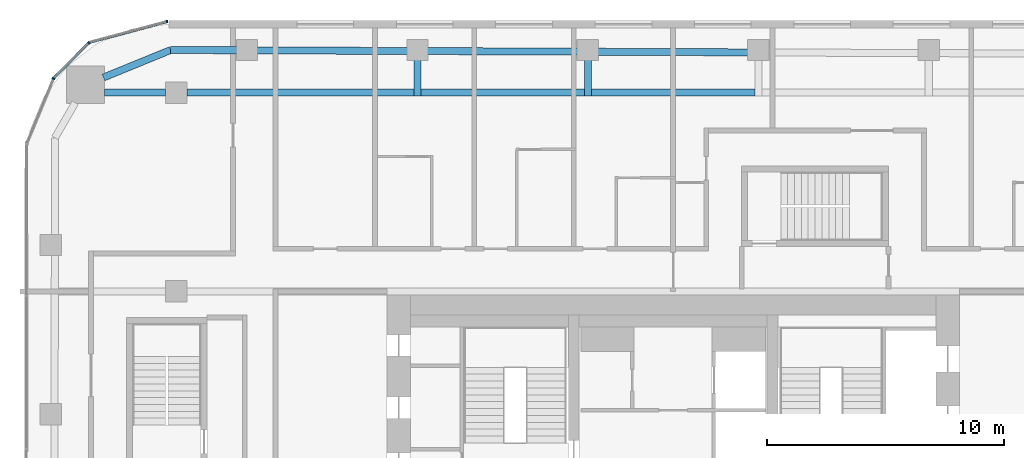
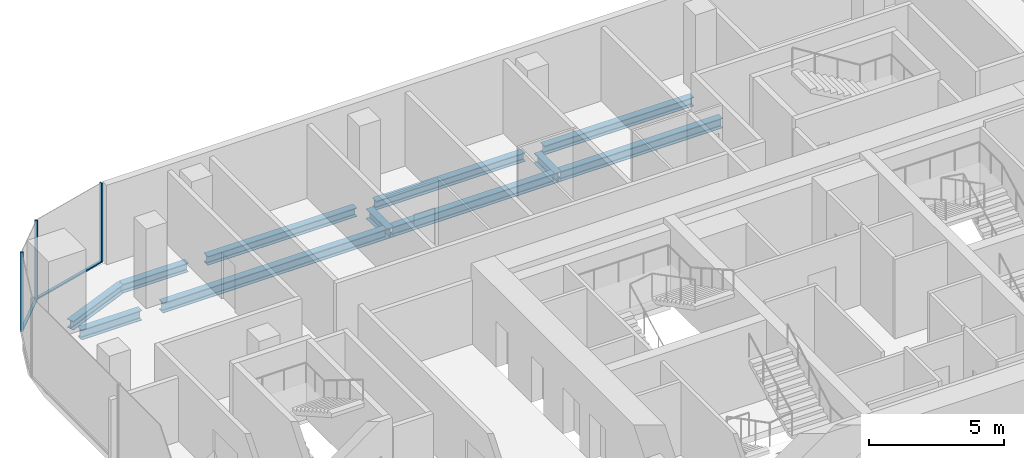
# One storey, part 10 of 23: 11 beams, 5 members, 3 elements without a shape of their own.
"""IFC4 building model written with IfcOpenShell, lengths in metres."""

from ifc_helpers import new_model, si_unit, direction, frame, origin, origin_2d, place, context, subcontext, project, spatial, rectangle, i_section, extrude, material, layer, layer_set, material_profile, profile_set, type_object, element, aggregate, save


model = new_model("IFC4")

# Units and contexts
model_context = context("Model", 3, precision=1e-05, world=origin(), true_north=direction((0.0, 1.0)))
body_context = subcontext(model_context, "Body", "Model", "MODEL_VIEW")
ifc_project = project(units=[si_unit("LENGTHUNIT", "METRE"), si_unit("AREAUNIT", "SQUARE_METRE"), si_unit("VOLUMEUNIT", "CUBIC_METRE"), si_unit("PLANEANGLEUNIT", "RADIAN"), si_unit("MASSUNIT", "GRAM", prefix="KILO")], contexts=[model_context])

# Site, building, storey
site_placement = place(None, origin())
site = spatial("IfcSite", under=ifc_project, at=site_placement, CompositionType="ELEMENT")
building_placement = place(site_placement, origin())
building = spatial("IfcBuilding", under=site, at=building_placement, Name="Marenta Gate Hotel Tower", CompositionType="ELEMENT")
storey_placement = place(building_placement, frame((0.0, 0.0, 104.89990234375)))
storey = spatial("IfcBuildingStorey", under=building, at=storey_placement, Name="L22", CompositionType="ELEMENT", Elevation=104.89990234375)

# Beams
ifc_material_1 = material(Name="Steel S355", Category="steel")
ifc_material_profile_1 = material_profile(ifc_material_1, i_section(OverallWidth=0.300048828125, OverallDepth=0.39990234375, WebThickness=0.013427734375, FlangeThickness=0.02392578125, FilletRadius=0.027099609375, at=origin_2d()), Name="HEB 400")
ifc_profile_set_1 = profile_set([ifc_material_profile_1], Name="Steel S355")
beam_type_1 = type_object("IfcBeamType", Name="Edge beam HEB 400", PredefinedType="SPANDREL", material=ifc_profile_set_1)
beam_1_placement = place(storey_placement, frame((-24.072509765625, 25.839111328125, -0.4599609375), z_axis=(0.925565978946, 0.378586342356, 0.0), x_axis=(-0.378586342356, 0.925565978946, 0.0)))
element("IfcBeam", 1, at=beam_1_placement, inside=storey, type_object=beam_type_1, Name="L22-EB-12", PredefinedType="SPANDREL", context=body_context, shape_type="SweptSolid", body=[
    extrude(i_section(OverallWidth=0.300048828125, OverallDepth=0.39990234375, WebThickness=0.013427734375, FlangeThickness=0.02392578125, FilletRadius=0.027099609375, at=origin_2d()), origin(), (0.0, 0.0, 1.0), 3.06640625),
])
beam_2_placement = place(storey_placement, frame((-21.234375, 27.0, -0.4599609375), z_axis=(0.999991706293, -0.004072756516, 0.0), x_axis=(0.004072756516, 0.999991706293, 0.0)))
element("IfcBeam", 2, at=beam_2_placement, inside=storey, type_object=beam_type_1, Name="L22-EB-13", PredefinedType="SPANDREL", context=body_context, shape_type="SweptSolid", body=[
    extrude(i_section(OverallWidth=0.300048828125, OverallDepth=0.39990234375, WebThickness=0.013427734375, FlangeThickness=0.02392578125, FilletRadius=0.027099609375, at=origin_2d()), origin(), (0.0, 0.0, 1.0), 2.8173828125),
])
beam_3_placement = place(storey_placement, frame((-17.596923828125, 26.985107421875, -0.4599609375), z_axis=(0.999991780748, -0.00405443424, 0.0), x_axis=(0.00405443424, 0.999991780748, 0.0)))
element("IfcBeam", 3, at=beam_3_placement, inside=storey, type_object=beam_type_1, Name="L22-EB-14", PredefinedType="SPANDREL", context=body_context, shape_type="SweptSolid", body=[
    extrude(i_section(OverallWidth=0.300048828125, OverallDepth=0.39990234375, WebThickness=0.013427734375, FlangeThickness=0.02392578125, FilletRadius=0.027099609375, at=origin_2d()), origin(), (0.0, 0.0, 1.0), 6.3828125),
])
beam_4_placement = place(storey_placement, frame((-10.39404296875, 26.955810546875, -0.4599609375), z_axis=(0.999991624297, -0.004092839529, 0.0), x_axis=(0.004092839529, 0.999991624297, 0.0)))
element("IfcBeam", 4, at=beam_4_placement, inside=storey, type_object=beam_type_1, Name="L22-EB-15", PredefinedType="SPANDREL", context=body_context, shape_type="SweptSolid", body=[
    extrude(i_section(OverallWidth=0.300048828125, OverallDepth=0.39990234375, WebThickness=0.013427734375, FlangeThickness=0.02392578125, FilletRadius=0.027099609375, at=origin_2d()), origin(), (0.0, 0.0, 1.0), 6.382568359375),
])
beam_5_placement = place(storey_placement, frame((-3.19140625, 26.926513671875, -0.4599609375), z_axis=(0.999991624938, -0.004092682982, 0.0), x_axis=(0.004092682982, 0.999991624938, 0.0)))
element("IfcBeam", 5, at=beam_5_placement, inside=storey, type_object=beam_type_1, Name="L22-EB-16", PredefinedType="SPANDREL", context=body_context, shape_type="SweptSolid", body=[
    extrude(i_section(OverallWidth=0.300048828125, OverallDepth=0.39990234375, WebThickness=0.013427734375, FlangeThickness=0.02392578125, FilletRadius=0.027099609375, at=origin_2d()), origin(), (0.0, 0.0, 1.0), 6.3828125),
])
ifc_material_2 = material(Name="Steel S355", Category="steel")
ifc_material_profile_2 = material_profile(ifc_material_2, i_section(OverallWidth=0.300048828125, OverallDepth=0.449951171875, WebThickness=0.013916015625, FlangeThickness=0.02587890625, FilletRadius=0.027099609375, at=origin_2d()), Name="HEB 450")
ifc_profile_set_2 = profile_set([ifc_material_profile_2], Name="Steel S355")
beam_type_2 = type_object("IfcBeamType", Name="Girder HEB 450", PredefinedType="BEAM", material=ifc_profile_set_2)
beam_6_placement = place(storey_placement, frame((-24.035400390625, 25.199951171875, -0.48486328125), z_axis=(1.0, 0.0, 0.0), x_axis=(0.0, 1.0, 0.0)))
element("IfcBeam", 6, at=beam_6_placement, inside=storey, type_object=beam_type_2, Name="L22-GD-29", PredefinedType="BEAM", context=body_context, shape_type="SweptSolid", body=[
    extrude(i_section(OverallWidth=0.300048828125, OverallDepth=0.449951171875, WebThickness=0.013916015625, FlangeThickness=0.02587890625, FilletRadius=0.027099609375, at=origin_2d()), origin(), (0.0, 0.0, 1.0), 2.58544921875),
])
beam_7_placement = place(storey_placement, frame((-20.550048828125, 25.199951171875, -0.48486328125), z_axis=(1.0, 0.0, 0.0), x_axis=(0.0, 1.0, 0.0)))
element("IfcBeam", 7, at=beam_7_placement, inside=storey, type_object=beam_type_2, Name="L22-GD-30", PredefinedType="BEAM", context=body_context, shape_type="SweptSolid", body=[
    extrude(i_section(OverallWidth=0.300048828125, OverallDepth=0.449951171875, WebThickness=0.013916015625, FlangeThickness=0.02587890625, FilletRadius=0.027099609375, at=origin_2d()), origin(), (0.0, 0.0, 1.0), 9.595947265625),
])
beam_8_placement = place(storey_placement, frame((-10.654052734375, 25.199951171875, -0.48486328125), z_axis=(1.0, 0.0, 0.0), x_axis=(0.0, 1.0, 0.0)))
element("IfcBeam", 8, at=beam_8_placement, inside=storey, type_object=beam_type_2, Name="L22-GD-31", PredefinedType="BEAM", context=body_context, shape_type="SweptSolid", body=[
    extrude(i_section(OverallWidth=0.300048828125, OverallDepth=0.449951171875, WebThickness=0.013916015625, FlangeThickness=0.02587890625, FilletRadius=0.027099609375, at=origin_2d()), origin(), (0.0, 0.0, 1.0), 6.902587890625),
])
beam_9_placement = place(storey_placement, frame((-3.451416015625, 25.199951171875, -0.48486328125), z_axis=(1.0, 0.0, 0.0), x_axis=(0.0, 1.0, 0.0)))
element("IfcBeam", 9, at=beam_9_placement, inside=storey, type_object=beam_type_2, Name="L22-GD-32", PredefinedType="BEAM", context=body_context, shape_type="SweptSolid", body=[
    extrude(i_section(OverallWidth=0.300048828125, OverallDepth=0.449951171875, WebThickness=0.013916015625, FlangeThickness=0.02587890625, FilletRadius=0.027099609375, at=origin_2d()), origin(), (0.0, 0.0, 1.0), 6.90283203125),
])
ifc_material_3 = material(Name="Steel S355", Category="steel")
ifc_material_profile_3 = material_profile(ifc_material_3, i_section(OverallWidth=0.300048828125, OverallDepth=0.449951171875, WebThickness=0.013916015625, FlangeThickness=0.02587890625, FilletRadius=0.027099609375, at=origin_2d()), Name="HEB 450")
ifc_profile_set_3 = profile_set([ifc_material_profile_3], Name="Steel S355")
beam_type_3 = type_object("IfcBeamType", Name="Girder bracket HEB 450", PredefinedType="BEAM", material=ifc_profile_set_3)
for number, where, z_axis, x_axis, name in (
    (10, (-10.80419921875, 25.050048828125, -0.48486328125), (0.0, 1.0, 0.0), (-1.0, 0.0, 0.0), "L22-GS-1"),
    (11, (-3.601318359375, 25.050048828125, -0.48486328125), (0.0, 1.0, 0.0), (-1.0, 0.0, 0.0), "L22-GS-2"),
):
    element("IfcBeam", number, at=place(storey_placement, frame(where, z_axis=z_axis, x_axis=x_axis)), inside=storey, type_object=beam_type_3, Name=name, PredefinedType="BEAM", context=body_context, shape_type="SweptSolid", body=[
        extrude(i_section(OverallWidth=0.300048828125, OverallDepth=0.449951171875, WebThickness=0.013916015625, FlangeThickness=0.02587890625, FilletRadius=0.027099609375, at=origin_2d()), origin(), (0.0, 0.0, 1.0), 1.5400390625),
    ])

# Curtain wall, member
ifc_material_4 = material(Name="Tinted insulated glass in bronze anodised frame", Category="glass")
ifc_layer = layer(ifc_material_4, 0.1201171875)
ifc_layer_set = layer_set([ifc_layer], Name="Tinted insulated glass in bronze anodised frame")
curtain_wall_type = type_object("IfcCurtainWallType", Name="Tower unitised curtain wall CW1", PredefinedType="NOTDEFINED", material=ifc_layer_set)
curtain_wall_1_placement = place(storey_placement, origin())
curtain_wall_1 = element("IfcCurtainWall", 12, at=curtain_wall_1_placement, inside=storey, type_object=curtain_wall_type, Name="CW1 run G00", PredefinedType="NOTDEFINED")
ifc_material_5 = material(Name="Bronze anodised aluminium", Category="aluminium")
ifc_material_profile_4 = material_profile(ifc_material_5, rectangle(XDim=0.1201171875, YDim=0.06005859375, at=origin_2d()), Name="Mullion CW1 60x120 bronze anodised aluminium")
ifc_profile_set_4 = profile_set([ifc_material_profile_4], Name="Bronze anodised aluminium")
member_type_1 = type_object("IfcMemberType", Name="Mullion CW1 60x120 bronze anodised aluminium", PredefinedType="MULLION", material=ifc_profile_set_4)
member_1_placement = place(storey_placement, frame((-21.385498046875, 28.203125, 0.0), z_axis=(0.0, 0.0, 1.0), x_axis=(0.258801234873, -0.96593059835, 0.0)))
member_1 = element("IfcMember", 13, at=member_1_placement, type_object=member_type_1, Name="CW1 mullion 1", PredefinedType="MULLION", context=body_context, shape_type="SweptSolid", body=[
    extrude(rectangle(XDim=0.1201171875, YDim=0.06005859375, at=origin_2d()), origin(), (0.0, 0.0, 1.0), 3.60009765625),
])

curtain_wall_2_placement = place(storey_placement, origin())
curtain_wall_2 = element("IfcCurtainWall", 14, at=curtain_wall_2_placement, inside=storey, type_object=curtain_wall_type, Name="CW1 run G01", PredefinedType="NOTDEFINED")
member_2_placement = place(storey_placement, frame((-24.68798828125, 27.302978515625, 0.0), z_axis=(0.0, 0.0, 1.0), x_axis=(0.707106781187, -0.707106781187, 0.0)))
member_2 = element("IfcMember", 15, at=member_2_placement, type_object=member_type_1, Name="CW1 mullion 1", PredefinedType="MULLION", context=body_context, shape_type="SweptSolid", body=[
    extrude(rectangle(XDim=0.1201171875, YDim=0.06005859375, at=origin_2d()), origin(), (0.0, 0.0, 1.0), 3.60009765625),
])

curtain_wall_3_placement = place(storey_placement, origin())
curtain_wall_3 = element("IfcCurtainWall", 16, at=curtain_wall_3_placement, inside=storey, type_object=curtain_wall_type, Name="CW1 run G02", PredefinedType="NOTDEFINED")
member_3_placement = place(storey_placement, frame((-26.183837890625, 25.790771484375, 0.0), z_axis=(0.0, 0.0, 1.0), x_axis=(0.923884278178, -0.382671975111, 0.0)))
member_3 = element("IfcMember", 17, at=member_3_placement, type_object=member_type_1, Name="CW1 mullion 1", PredefinedType="MULLION", context=body_context, shape_type="SweptSolid", body=[
    extrude(rectangle(XDim=0.1201171875, YDim=0.06005859375, at=origin_2d()), origin(), (0.0, 0.0, 1.0), 3.60009765625),
])
aggregate(curtain_wall_3, [member_3])

# Member
ifc_material_6 = material(Name="Bronze anodised aluminium", Category="aluminium")
ifc_material_profile_5 = material_profile(ifc_material_6, rectangle(XDim=0.1201171875, YDim=0.06005859375, at=origin_2d()), Name="Transom CW1 60x120 bronze anodised aluminium")
ifc_profile_set_5 = profile_set([ifc_material_profile_5], Name="Bronze anodised aluminium")
member_type_2 = type_object("IfcMemberType", Name="Transom CW1 60x120 bronze anodised aluminium", PredefinedType="USERDEFINED", material=ifc_profile_set_5)
member_4_placement = place(storey_placement, frame((-21.41455078125, 28.195556640625, 0.030029296875), z_axis=(-0.965932192411, -0.258795285243, 0.0), x_axis=(0.258795285243, -0.965932192411, 0.0)))
member_4 = element("IfcMember", 18, at=member_4_placement, type_object=member_type_2, Name="CW1 transom 1.1", ObjectType="TRANSOM", PredefinedType="USERDEFINED", context=body_context, shape_type="SweptSolid", body=[
    extrude(rectangle(XDim=0.1201171875, YDim=0.06005859375, at=origin_2d()), origin(), (0.0, 0.0, 1.0), 3.366943359375),
])

aggregate(curtain_wall_1, [member_1, member_4])

member_5_placement = place(storey_placement, frame((-24.709228515625, 27.28173828125, 0.030029296875), z_axis=(-0.707106781187, -0.707106781187, 0.0), x_axis=(0.707106781187, -0.707106781187, 0.0)))
member_5 = element("IfcMember", 19, at=member_5_placement, type_object=member_type_2, Name="CW1 transom 1.1", ObjectType="TRANSOM", PredefinedType="USERDEFINED", context=body_context, shape_type="SweptSolid", body=[
    extrude(rectangle(XDim=0.1201171875, YDim=0.06005859375, at=origin_2d()), origin(), (0.0, 0.0, 1.0), 2.069091796875),
])

aggregate(curtain_wall_2, [member_2, member_5])

save(model, "model.ifc")
